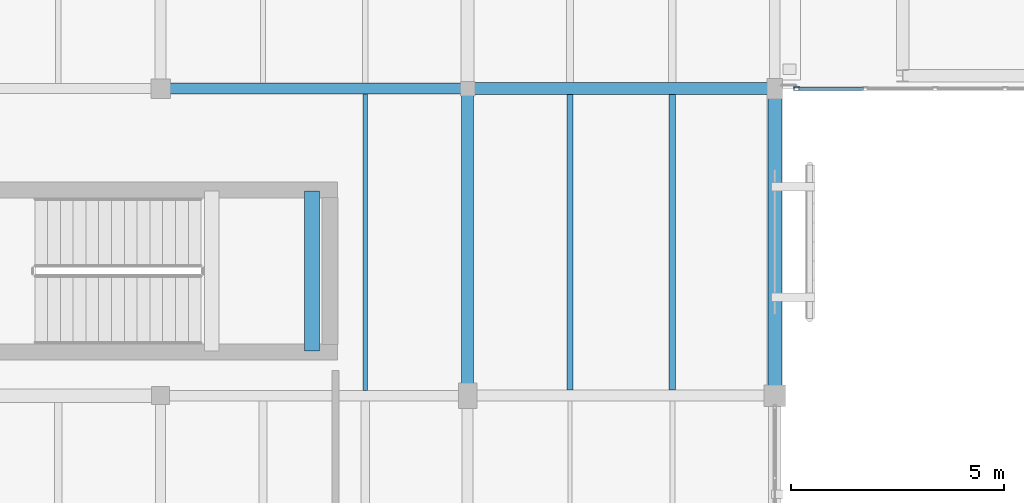
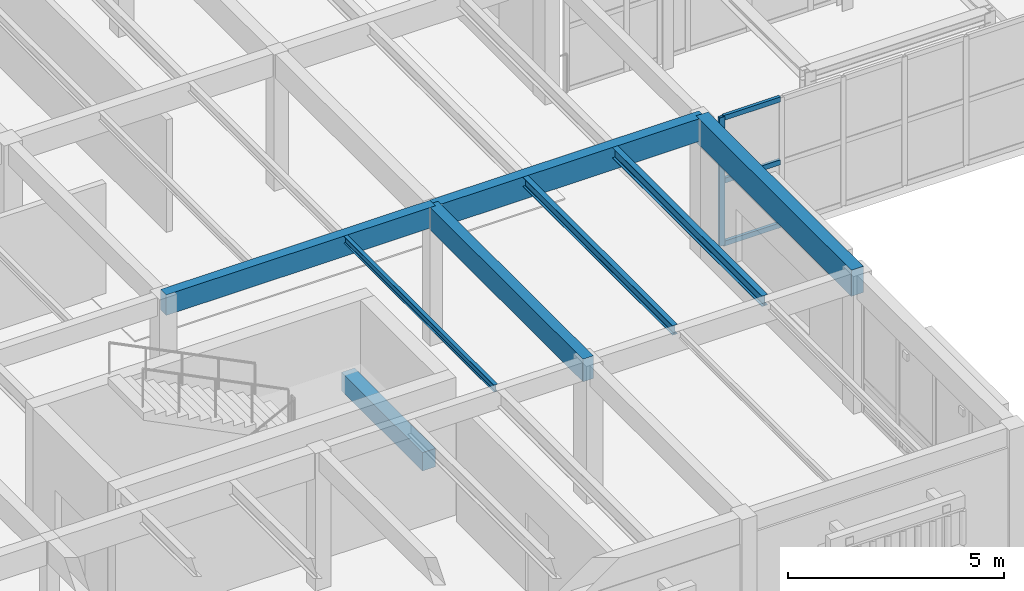
# One storey, part 19 of 217: 8 beams, 4 members, 1 element without a shape of its own.
"""IFC4 building model written with IfcOpenShell, lengths in metres."""

from ifc_helpers import new_model, si_unit, direction, frame, origin, origin_2d, place, context, subcontext, project, spatial, rectangle, hollow_rectangle, i_section, extrude, material, layer, layer_set, material_profile, profile_set, type_object, element, aggregate, save


model = new_model("IFC4")

# Units and contexts
model_context = context("Model", 3, precision=1e-05, world=origin(), true_north=direction((0.0, 1.0)))
body_context = subcontext(model_context, "Body", "Model", "MODEL_VIEW")
ifc_project = project(units=[si_unit("LENGTHUNIT", "METRE"), si_unit("AREAUNIT", "SQUARE_METRE"), si_unit("VOLUMEUNIT", "CUBIC_METRE"), si_unit("PLANEANGLEUNIT", "RADIAN"), si_unit("MASSUNIT", "GRAM", prefix="KILO")], contexts=[model_context])

# Site, building, storey
site_placement = place(None, origin())
site = spatial("IfcSite", under=ifc_project, at=site_placement, CompositionType="ELEMENT")
building_placement = place(site_placement, origin())
building = spatial("IfcBuilding", under=site, at=building_placement, Name="Mazaris Harbour Polytechnic", CompositionType="ELEMENT")
storey_placement = place(building_placement, frame((0.0, 0.0, 9.60009765625)))
storey = spatial("IfcBuildingStorey", under=building, at=storey_placement, Name="L02", CompositionType="ELEMENT", Elevation=9.60009765625)

# Curtain wall, members
ifc_material_1 = material(Name="Anodised Bronze Aluminium and Low-E Glass", Category="aluminium")
ifc_layer = layer(ifc_material_1, 0.139892578125, Name="Anodised Bronze Aluminium and Low-E Glass")
ifc_layer_set = layer_set([ifc_layer], Name="Anodised Bronze Aluminium and Low-E Glass")
curtain_wall_type = type_object("IfcCurtainWallType", Name="Seismic Link Bridge Glazing", PredefinedType="NOTDEFINED", material=ifc_layer_set)
curtain_wall_placement = place(storey_placement, origin())
curtain_wall = element("IfcCurtainWall", 1, at=curtain_wall_placement, inside=storey, type_object=curtain_wall_type, Name="PB-W1 L02 Bridge Glazing", PredefinedType="NOTDEFINED")
ifc_material_2 = material(Name="Anodised Bronze Steel S355", Category="steel")
ifc_material_profile_1 = material_profile(ifc_material_2, hollow_rectangle(XDim=0.080078125, YDim=0.139892578125, WallThickness=0.00634765625, at=origin_2d()), Name="RHS 80x140x6.3")
ifc_profile_set_1 = profile_set([ifc_material_profile_1], Name="Anodised Bronze Steel S355")
member_type_1 = type_object("IfcMemberType", Name="Curtain Mullion RHS80x140", PredefinedType="MULLION", material=ifc_profile_set_1)
member_1_placement = place(storey_placement, frame((43.719970703125, 21.60009765625, 0.0), z_axis=(0.0, 0.0, 1.0), x_axis=(0.0, 1.0, 0.0)))
member_1 = element("IfcMember", 2, at=member_1_placement, type_object=member_type_1, Name="CW-05 mullion 1", PredefinedType="MULLION", context=body_context, shape_type="SweptSolid", body=[
    extrude(hollow_rectangle(XDim=0.080078125, YDim=0.139892578125, WallThickness=0.00634765625, at=origin_2d()), origin(), (0.0, 0.0, 1.0), 3.635009765625),
])
ifc_material_3 = material(Name="Anodised Bronze Steel S355", Category="steel")
ifc_material_profile_2 = material_profile(ifc_material_3, hollow_rectangle(XDim=0.080078125, YDim=0.139892578125, WallThickness=0.00634765625, at=origin_2d()), Name="RHS 80x140x6.3")
ifc_profile_set_2 = profile_set([ifc_material_profile_2], Name="Anodised Bronze Steel S355")
member_type_2 = type_object("IfcMemberType", Name="Curtain Transom RHS80x140", PredefinedType="USERDEFINED", material=ifc_profile_set_2)
member_2_placement = place(storey_placement, frame((43.760009765625, 21.60009765625, 0.039794921875), z_axis=(1.0, 0.0, 0.0), x_axis=(0.0, 1.0, 0.0)))
member_2 = element("IfcMember", 3, at=member_2_placement, type_object=member_type_2, Name="CW-05 transom 1.1", ObjectType="TRANSOM", PredefinedType="USERDEFINED", context=body_context, shape_type="SweptSolid", body=[
    extrude(hollow_rectangle(XDim=0.080078125, YDim=0.139892578125, WallThickness=0.00634765625, at=origin_2d()), origin(), (0.0, 0.0, 1.0), 1.52001953125),
])
member_3_placement = place(storey_placement, frame((43.760009765625, 21.60009765625, 1.8173828125), z_axis=(1.0, 0.0, 0.0), x_axis=(0.0, 1.0, 0.0)))
member_3 = element("IfcMember", 4, at=member_3_placement, type_object=member_type_2, Name="CW-05 transom 1.2", ObjectType="TRANSOM", PredefinedType="USERDEFINED", context=body_context, shape_type="SweptSolid", body=[
    extrude(hollow_rectangle(XDim=0.080078125, YDim=0.139892578125, WallThickness=0.00634765625, at=origin_2d()), origin(), (0.0, 0.0, 1.0), 1.52001953125),
])
member_4_placement = place(storey_placement, frame((43.760009765625, 21.60009765625, 3.594970703125), z_axis=(1.0, 0.0, 0.0), x_axis=(0.0, 1.0, 0.0)))
member_4 = element("IfcMember", 5, at=member_4_placement, type_object=member_type_2, Name="CW-05 transom 1.3", ObjectType="TRANSOM", PredefinedType="USERDEFINED", context=body_context, shape_type="SweptSolid", body=[
    extrude(hollow_rectangle(XDim=0.080078125, YDim=0.139892578125, WallThickness=0.00634765625, at=origin_2d()), origin(), (0.0, 0.0, 1.0), 1.52001953125),
])
aggregate(curtain_wall, [member_1, member_2, member_3, member_4])

# Beams
ifc_material_4 = material(Name="Glulam GL32h", Category="wood")
ifc_material_profile_3 = material_profile(ifc_material_4, rectangle(XDim=0.260009765625, YDim=0.580078125, at=origin_2d()), Name="RECT260x580")
ifc_profile_set_3 = profile_set([ifc_material_profile_3], Name="Glulam GL32h")
beam_type_1 = type_object("IfcBeamType", Name="Glulam Girder 260x580", PredefinedType="BEAM", material=ifc_profile_set_3)
beam_1_placement = place(storey_placement, frame((28.800048828125, 21.60009765625, 3.599853515625), z_axis=(1.0, 0.0, 0.0), x_axis=(0.0, 1.0, 0.0)))
element("IfcBeam", 6, at=beam_1_placement, inside=storey, type_object=beam_type_1, Name="V4 L02 Girder 1911", PredefinedType="BEAM", context=body_context, shape_type="SweptSolid", body=[
    extrude(rectangle(XDim=0.260009765625, YDim=0.580078125, at=origin_2d()), origin(), (0.0, 0.0, 1.0), 7.199951171875),
])
ifc_material_5 = material(Name="Glulam GL32h", Category="wood")
ifc_material_profile_4 = material_profile(ifc_material_5, rectangle(XDim=0.280029296875, YDim=0.639892578125, at=origin_2d()), Name="RECT280x640")
ifc_profile_set_4 = profile_set([ifc_material_profile_4], Name="Glulam GL32h")
beam_type_2 = type_object("IfcBeamType", Name="Glulam Girder 280x640", PredefinedType="BEAM", material=ifc_profile_set_4)
beam_2_placement = place(storey_placement, frame((36.0, 21.60009765625, 3.56982421875), z_axis=(1.0, 0.0, 0.0), x_axis=(0.0, 1.0, 0.0)))
element("IfcBeam", 7, at=beam_2_placement, inside=storey, type_object=beam_type_2, Name="V4 L02 Girder 1912", PredefinedType="BEAM", context=body_context, shape_type="SweptSolid", body=[
    extrude(rectangle(XDim=0.280029296875, YDim=0.639892578125, at=origin_2d()), origin(), (0.0, 0.0, 1.0), 7.199951171875),
])
beam_3_placement = place(storey_placement, frame((36.0, 14.39990234375, 3.56982421875), z_axis=(0.0, 1.0, 0.0), x_axis=(-1.0, 0.0, 0.0)))
element("IfcBeam", 8, at=beam_3_placement, inside=storey, type_object=beam_type_2, Name="V4 L02 Tie Girder 2022", PredefinedType="BEAM", context=body_context, shape_type="SweptSolid", body=[
    extrude(rectangle(XDim=0.280029296875, YDim=0.639892578125, at=origin_2d()), origin(), (0.0, 0.0, 1.0), 7.2001953125),
])
ifc_material_6 = material(Name="Glulam GL32h", Category="wood")
ifc_material_profile_5 = material_profile(ifc_material_6, rectangle(XDim=0.320068359375, YDim=0.739990234375, at=origin_2d()), Name="RECT320x740")
ifc_profile_set_5 = profile_set([ifc_material_profile_5], Name="Glulam GL32h")
beam_type_3 = type_object("IfcBeamType", Name="Glulam Girder 320x740 Exterior", PredefinedType="BEAM", material=ifc_profile_set_5)
beam_4_placement = place(storey_placement, frame((43.199951171875, 14.39990234375, 3.52001953125), z_axis=(0.0, 1.0, 0.0), x_axis=(-1.0, 0.0, 0.0)))
element("IfcBeam", 9, at=beam_4_placement, inside=storey, type_object=beam_type_3, Name="V4 L02 Tie Girder 2034", PredefinedType="BEAM", context=body_context, shape_type="SweptSolid", body=[
    extrude(rectangle(XDim=0.320068359375, YDim=0.739990234375, at=origin_2d()), origin(), (0.0, 0.0, 1.0), 7.2001953125),
])
ifc_material_7 = material(Name="Concrete C40/50", Category="concrete")
ifc_material_profile_6 = material_profile(ifc_material_7, rectangle(XDim=0.35009765625, YDim=0.52001953125, at=origin_2d()), Name="RECT350x520")
ifc_profile_set_6 = profile_set([ifc_material_profile_6], Name="Concrete C40/50")
beam_type_4 = type_object("IfcBeamType", Name="RC Landing Bearer 350x520", PredefinedType="BEAM", material=ifc_profile_set_6)
beam_5_placement = place(storey_placement, frame((32.35009765625, 15.449951171875, 1.639892578125), z_axis=(0.0, 1.0, 0.0), x_axis=(-1.0, 0.0, 0.0)))
element("IfcBeam", 10, at=beam_5_placement, inside=storey, type_object=beam_type_4, Name="Core ST08 L02 Landing Bearer", PredefinedType="BEAM", context=body_context, shape_type="SweptSolid", body=[
    extrude(rectangle(XDim=0.35009765625, YDim=0.52001953125, at=origin_2d()), origin(), (0.0, 0.0, 1.0), 3.75),
])
ifc_material_8 = material(Name="Steel S355", Category="steel")
ifc_material_profile_7 = material_profile(ifc_material_8, i_section(OverallWidth=0.10009765625, OverallDepth=0.199951171875, WebThickness=0.005615234375, FlangeThickness=0.008544921875, FilletRadius=0.011962890625, at=origin_2d()), Name="IPE 200")
ifc_profile_set_7 = profile_set([ifc_material_profile_7], Name="Steel S355")
beam_type_5 = type_object("IfcBeamType", Name="Steel Joist IPE200", PredefinedType="JOIST", material=ifc_profile_set_7)
beam_6_placement = place(storey_placement, frame((33.60009765625, 14.52001953125, 3.789794921875), z_axis=(0.0, 1.0, 0.0), x_axis=(-1.0, 0.0, 0.0)))
element("IfcBeam", 11, at=beam_6_placement, inside=storey, type_object=beam_type_5, Name="V4 L02 Floor Joist 2121", PredefinedType="JOIST", context=body_context, shape_type="SweptSolid", body=[
    extrude(i_section(OverallWidth=0.10009765625, OverallDepth=0.199951171875, WebThickness=0.005615234375, FlangeThickness=0.008544921875, FilletRadius=0.011962890625, at=origin_2d()), origin(), (0.0, 0.0, 1.0), 6.949951171875),
])
ifc_material_9 = material(Name="Steel S355", Category="steel")
ifc_material_profile_8 = material_profile(ifc_material_9, i_section(OverallWidth=0.135009765625, OverallDepth=0.27001953125, WebThickness=0.006591796875, FlangeThickness=0.01025390625, FilletRadius=0.014892578125, at=origin_2d()), Name="IPE 270")
ifc_profile_set_8 = profile_set([ifc_material_profile_8], Name="Steel S355")
beam_type_6 = type_object("IfcBeamType", Name="Steel Joist IPE270", PredefinedType="JOIST", material=ifc_profile_set_8)
beam_7_placement = place(storey_placement, frame((38.39990234375, 14.530029296875, 3.7548828125), z_axis=(0.0, 1.0, 0.0), x_axis=(-1.0, 0.0, 0.0)))
element("IfcBeam", 12, at=beam_7_placement, inside=storey, type_object=beam_type_6, Name="V4 L02 Floor Joist 2144", PredefinedType="JOIST", context=body_context, shape_type="SweptSolid", body=[
    extrude(i_section(OverallWidth=0.135009765625, OverallDepth=0.27001953125, WebThickness=0.006591796875, FlangeThickness=0.01025390625, FilletRadius=0.014892578125, at=origin_2d()), origin(), (0.0, 0.0, 1.0), 6.929931640625),
])
ifc_material_10 = material(Name="Steel S355", Category="steel")
ifc_material_profile_9 = material_profile(ifc_material_10, i_section(OverallWidth=0.14990234375, OverallDepth=0.300048828125, WebThickness=0.007080078125, FlangeThickness=0.0107421875, FilletRadius=0.014892578125, at=origin_2d()), Name="IPE 300")
ifc_profile_set_9 = profile_set([ifc_material_profile_9], Name="Steel S355")
beam_type_7 = type_object("IfcBeamType", Name="Steel Joist IPE300", PredefinedType="JOIST", material=ifc_profile_set_9)
beam_8_placement = place(storey_placement, frame((40.800048828125, 14.530029296875, 3.739990234375), z_axis=(0.0, 1.0, 0.0), x_axis=(-1.0, 0.0, 0.0)))
element("IfcBeam", 13, at=beam_8_placement, inside=storey, type_object=beam_type_7, Name="V4 L02 Floor Joist 2145", PredefinedType="JOIST", context=body_context, shape_type="SweptSolid", body=[
    extrude(i_section(OverallWidth=0.14990234375, OverallDepth=0.300048828125, WebThickness=0.007080078125, FlangeThickness=0.0107421875, FilletRadius=0.014892578125, at=origin_2d()), origin(), (0.0, 0.0, 1.0), 6.929931640625),
])

save(model, "model.ifc")
